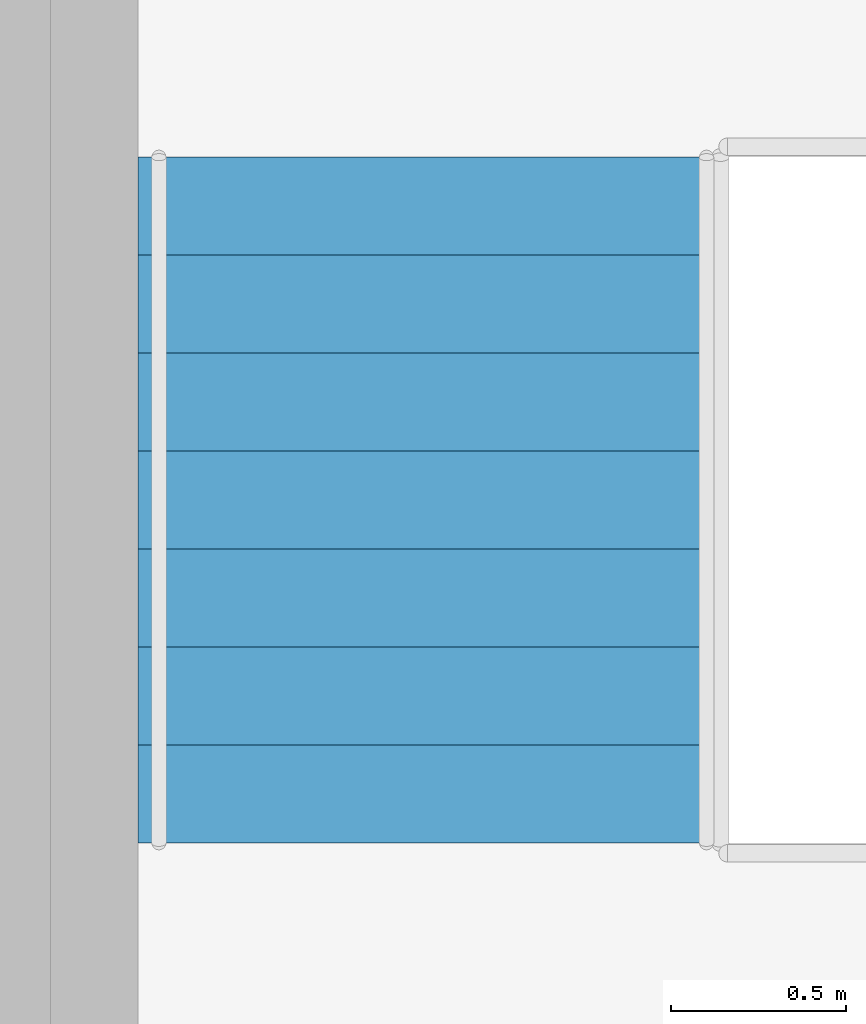
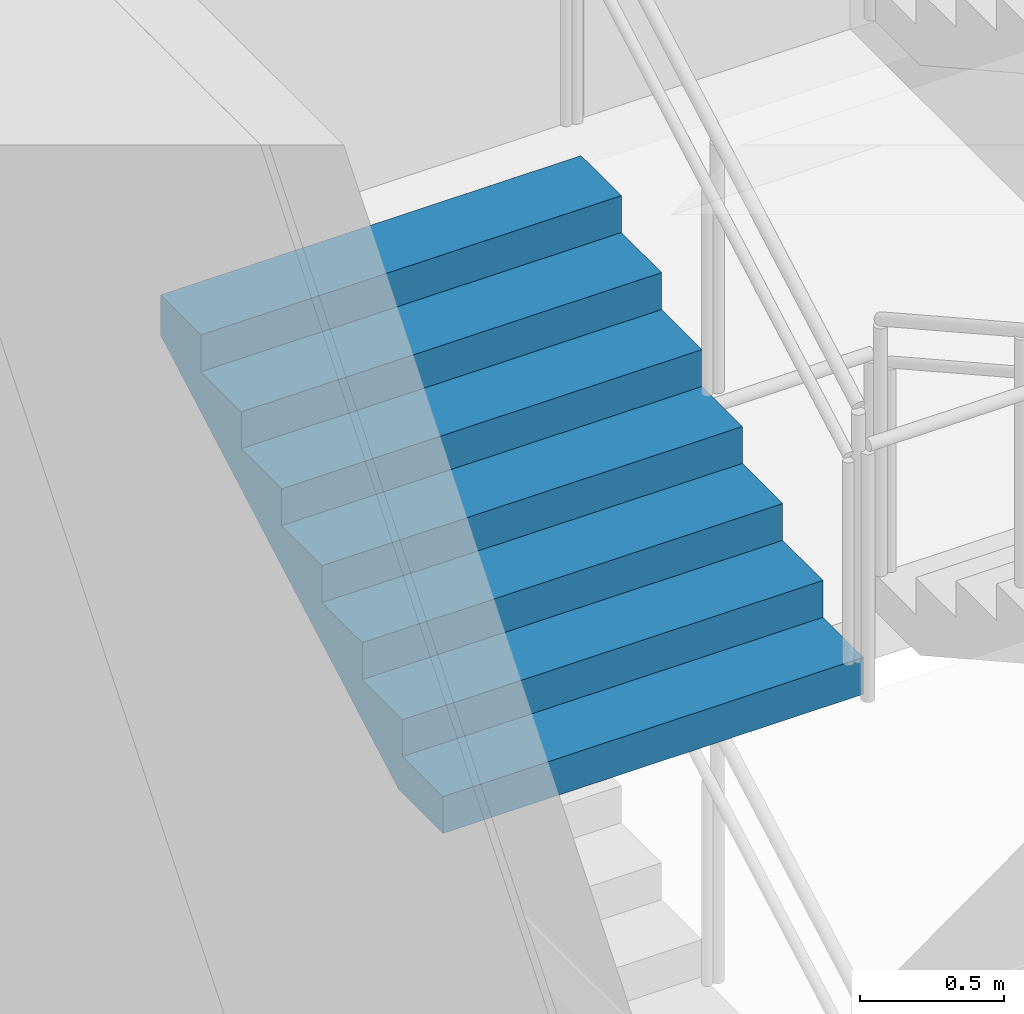
# One storey, part 33 of 37: 1 stair flight, 1 element without a shape of its own.
"""IFC4 building model written with IfcOpenShell, lengths in metres."""

from ifc_helpers import new_model, si_unit, direction, frame, origin, place, context, subcontext, project, spatial, triangles, material, type_object, element, aggregate, save


model = new_model("IFC4")

# Units and contexts
model_context = context("Model", 3, precision=1e-05, world=origin(), true_north=direction((0.0, 1.0)))
body_context = subcontext(model_context, "Body", "Model", "MODEL_VIEW")
ifc_project = project(units=[si_unit("LENGTHUNIT", "METRE"), si_unit("AREAUNIT", "SQUARE_METRE"), si_unit("VOLUMEUNIT", "CUBIC_METRE"), si_unit("PLANEANGLEUNIT", "RADIAN"), si_unit("MASSUNIT", "GRAM", prefix="KILO")], contexts=[model_context])

# Site, building, storey
site_placement = place(None, origin())
site = spatial("IfcSite", under=ifc_project, at=site_placement, CompositionType="ELEMENT")
building_placement = place(site_placement, origin())
building = spatial("IfcBuilding", under=site, at=building_placement, Name="Orbita Commons", CompositionType="ELEMENT")
storey_placement = place(building_placement, frame((0.0, 0.0, 6.0)))
storey = spatial("IfcBuildingStorey", under=building, at=storey_placement, Name="L01", CompositionType="ELEMENT", Elevation=6.0)

# Stair, stair flight
ifc_material_1 = material(Name="Precast concrete C40/50", Category="concrete")
stair_type = type_object("IfcStairType", Name="Podium exit stair 4 flights 8 risers 156", PredefinedType="HALF_TURN_STAIR", material=ifc_material_1)
stair_placement = place(storey_placement, origin())
stair = element("IfcStair", 1, at=stair_placement, inside=storey, type_object=stair_type, Name="Podium exit stair PS2 L01", PredefinedType="HALF_TURN_STAIR")
ifc_material_2 = material(Name="Precast concrete C40/50", Category="concrete")
stair_flight_type = type_object("IfcStairFlightType", Name="Podium stair flight 8 risers 156 x 1685", PredefinedType="STRAIGHT", material=ifc_material_2)
stair_flight_placement = place(storey_placement, frame((73.5673828125, 29.820068359375, 2.5), z_axis=(0.0, 0.0, 1.0), x_axis=(0.0, 1.0, 0.0)))
stair_flight = element("IfcStairFlight", 2, at=stair_flight_placement, type_object=stair_flight_type, Name="PS2 flight 3", NumberOfRisers=8, NumberOfTreads=7, PredefinedType="STRAIGHT", RiserHeight=0.15625, TreadLength=0.28, context=body_context, shape_type="Tessellation", body=[
    triangles([(0.0, 0.842529, 0.0), (0.0, 0.842529, 0.019531), (0.0, 0.702108, 0.019531), (0.0, 0.702108, 0.0), (0.0, 0.561686, 0.019531), (0.0, 0.561686, 0.0), (0.0, 0.421265, 0.019531), (0.0, 0.421265, 0.0), (0.0, 0.280843, 0.019531), (0.0, 0.280843, 0.0), (0.0, 0.140422, 0.019531), (0.0, 0.140422, 0.0), (0.0, 0.0, 0.019531), (0.0, 0.0, 0.0), (0.0, -0.140422, 0.019531), (0.0, -0.140422, 0.0), (0.0, -0.280843, 0.019531), (0.0, -0.280843, 0.0), (0.0, -0.421265, 0.019531), (0.0, -0.421265, 0.0), (0.0, -0.561686, 0.019531), (0.0, -0.561686, 0.0), (0.0, -0.702108, 0.019531), (0.0, -0.702108, 0.0), (0.0, -0.842529, 0.019531), (0.0, -0.842529, 0.0), (0.0, 0.842529, 0.039062), (0.0, 0.702108, 0.039062), (0.0, 0.561686, 0.039062), (0.0, 0.421265, 0.039062), (0.0, 0.280843, 0.039062), (0.0, 0.140422, 0.039062), (0.0, 0.0, 0.039062), (0.0, -0.140422, 0.039062), (0.0, -0.280843, 0.039062), (0.0, -0.421265, 0.039062), (0.0, -0.561686, 0.039062), (0.0, -0.702108, 0.039062), (0.0, -0.842529, 0.039062), (0.0, 0.842529, 0.058594), (0.0, 0.702108, 0.058594), (0.0, 0.561686, 0.058594), (0.0, 0.421265, 0.058594), (0.0, 0.280843, 0.058594), (0.0, 0.140422, 0.058594), (0.0, 0.0, 0.058594), (0.0, -0.140422, 0.058594), (0.0, -0.280843, 0.058594), (0.0, -0.421265, 0.058594), (0.0, -0.561686, 0.058594), (0.0, -0.702108, 0.058594), (0.0, -0.842529, 0.058594), (0.0, 0.842529, 0.078125), (0.0, 0.702108, 0.078125), (0.0, 0.561686, 0.078125), (0.0, 0.421265, 0.078125), (0.0, 0.280843, 0.078125), (0.0, 0.140422, 0.078125), (0.0, 0.0, 0.078125), (0.0, -0.140422, 0.078125), (0.0, -0.280843, 0.078125), (0.0, -0.421265, 0.078125), (0.0, -0.561686, 0.078125), (0.0, -0.702108, 0.078125), (0.0, -0.842529, 0.078125), (0.0, 0.842529, 0.097656), (0.0, 0.702108, 0.097656), (0.0, 0.561686, 0.097656), (0.0, 0.421265, 0.097656), (0.0, 0.280843, 0.097656), (0.0, 0.140422, 0.097656), (0.0, 0.0, 0.097656), (0.0, -0.140422, 0.097656), (0.0, -0.280843, 0.097656), (0.0, -0.421265, 0.097656), (0.0, -0.561686, 0.097656), (0.0, -0.702108, 0.097656), (0.0, -0.842529, 0.097656), (0.0, 0.842529, 0.117188), (0.0, 0.702108, 0.117188), (0.0, 0.561686, 0.117188), (0.0, 0.421265, 0.117188), (0.0, 0.280843, 0.117188), (0.0, 0.140422, 0.117188), (0.0, 0.0, 0.117188), (0.0, -0.140422, 0.117188), (0.0, -0.280843, 0.117188), (0.0, -0.421265, 0.117188), (0.0, -0.561686, 0.117188), (0.0, -0.702108, 0.117188), (0.0, -0.842529, 0.117188), (0.0, 0.842529, 0.136719), (0.0, 0.702108, 0.136719), (0.0, 0.561686, 0.136719), (0.0, 0.421265, 0.136719), (0.0, 0.280843, 0.136719), (0.0, 0.140422, 0.136719), (0.0, 0.0, 0.136719), (0.0, -0.140422, 0.136719), (0.0, -0.280843, 0.136719), (0.0, -0.421265, 0.136719), (0.0, -0.561686, 0.136719), (0.0, -0.702108, 0.136719), (0.0, -0.842529, 0.136719), (0.0, 0.842529, 0.15625), (0.0, 0.702108, 0.15625), (0.0, 0.561686, 0.15625), (0.0, 0.421265, 0.15625), (0.0, 0.280843, 0.15625), (0.0, 0.140422, 0.15625), (0.0, 0.0, 0.15625), (0.0, -0.140422, 0.15625), (0.0, -0.280843, 0.15625), (0.0, -0.421265, 0.15625), (0.0, -0.561686, 0.15625), (0.0, -0.702108, 0.15625), (0.0, -0.842529, 0.15625), (0.28, 0.842529, 0.15625), (0.28, 0.702108, 0.15625), (0.28, 0.561686, 0.15625), (0.28, 0.421265, 0.15625), (0.28, 0.280843, 0.15625), (0.28, 0.140422, 0.15625), (0.28, 0.0, 0.15625), (0.28, -0.140422, 0.15625), (0.28, -0.280843, 0.15625), (0.28, -0.421265, 0.15625), (0.28, -0.561686, 0.15625), (0.28, -0.702108, 0.15625), (0.28, -0.842529, 0.15625), (0.28, 0.842529, 0.3125), (0.28, 0.702108, 0.3125), (0.28, 0.561686, 0.3125), (0.28, 0.421265, 0.3125), (0.28, 0.280843, 0.3125), (0.28, 0.140422, 0.3125), (0.28, 0.0, 0.3125), (0.28, -0.140422, 0.3125), (0.28, -0.280843, 0.3125), (0.28, -0.421265, 0.3125), (0.28, -0.561686, 0.3125), (0.28, -0.702108, 0.3125), (0.28, -0.842529, 0.3125), (0.56, 0.842529, 0.3125), (0.56, 0.702108, 0.3125), (0.56, 0.561686, 0.3125), (0.56, 0.421265, 0.3125), (0.56, 0.280843, 0.3125), (0.56, 0.140422, 0.3125), (0.56, 0.0, 0.3125), (0.56, -0.140422, 0.3125), (0.56, -0.280843, 0.3125), (0.56, -0.421265, 0.3125), (0.56, -0.561686, 0.3125), (0.56, -0.702108, 0.3125), (0.56, -0.842529, 0.3125), (0.56, 0.842529, 0.46875), (0.56, 0.702108, 0.46875), (0.56, 0.561686, 0.46875), (0.56, 0.421265, 0.46875), (0.56, 0.280843, 0.46875), (0.56, 0.140422, 0.46875), (0.56, 0.0, 0.46875), (0.56, -0.140422, 0.46875), (0.56, -0.280843, 0.46875), (0.56, -0.421265, 0.46875), (0.56, -0.561686, 0.46875), (0.56, -0.702108, 0.46875), (0.56, -0.842529, 0.46875), (0.84, 0.842529, 0.46875), (0.84, 0.702108, 0.46875), (0.84, 0.561686, 0.46875), (0.84, 0.421265, 0.46875), (0.84, 0.280843, 0.46875), (0.84, 0.140422, 0.46875), (0.84, 0.0, 0.46875), (0.84, -0.140422, 0.46875), (0.84, -0.280843, 0.46875), (0.84, -0.421265, 0.46875), (0.84, -0.561686, 0.46875), (0.84, -0.702108, 0.46875), (0.84, -0.842529, 0.46875), (0.84, 0.842529, 0.625), (0.84, 0.702108, 0.625), (0.84, 0.561686, 0.625), (0.84, 0.421265, 0.625), (0.84, 0.280843, 0.625), (0.84, 0.140422, 0.625), (0.84, 0.0, 0.625), (0.84, -0.140422, 0.625), (0.84, -0.280843, 0.625), (0.84, -0.421265, 0.625), (0.84, -0.561686, 0.625), (0.84, -0.702108, 0.625), (0.84, -0.842529, 0.625), (1.12, 0.842529, 0.625), (1.12, 0.702108, 0.625), (1.12, 0.561686, 0.625), (1.12, 0.421265, 0.625), (1.12, 0.280843, 0.625), (1.12, 0.140422, 0.625), (1.12, 0.0, 0.625), (1.12, -0.140422, 0.625), (1.12, -0.280843, 0.625), (1.12, -0.421265, 0.625), (1.12, -0.561686, 0.625), (1.12, -0.702108, 0.625), (1.12, -0.842529, 0.625), (1.12, 0.842529, 0.78125), (1.12, 0.702108, 0.78125), (1.12, 0.561686, 0.78125), (1.12, 0.421265, 0.78125), (1.12, 0.280843, 0.78125), (1.12, 0.140422, 0.78125), (1.12, 0.0, 0.78125), (1.12, -0.140422, 0.78125), (1.12, -0.280843, 0.78125), (1.12, -0.421265, 0.78125), (1.12, -0.561686, 0.78125), (1.12, -0.702108, 0.78125), (1.12, -0.842529, 0.78125), (1.4, 0.842529, 0.78125), (1.4, 0.702108, 0.78125), (1.4, 0.561686, 0.78125), (1.4, 0.421265, 0.78125), (1.4, 0.280843, 0.78125), (1.4, 0.140422, 0.78125), (1.4, 0.0, 0.78125), (1.4, -0.140422, 0.78125), (1.4, -0.280843, 0.78125), (1.4, -0.421265, 0.78125), (1.4, -0.561686, 0.78125), (1.4, -0.702108, 0.78125), (1.4, -0.842529, 0.78125), (1.4, 0.842529, 0.9375), (1.4, 0.702108, 0.9375), (1.4, 0.561686, 0.9375), (1.4, 0.421265, 0.9375), (1.4, 0.280843, 0.9375), (1.4, 0.140422, 0.9375), (1.4, 0.0, 0.9375), (1.4, -0.140422, 0.9375), (1.4, -0.280843, 0.9375), (1.4, -0.421265, 0.9375), (1.4, -0.561686, 0.9375), (1.4, -0.702108, 0.9375), (1.4, -0.842529, 0.9375), (1.68, 0.842529, 0.9375), (1.68, 0.702108, 0.9375), (1.68, 0.561686, 0.9375), (1.68, 0.421265, 0.9375), (1.68, 0.280843, 0.9375), (1.68, 0.140422, 0.9375), (1.68, 0.0, 0.9375), (1.68, -0.140422, 0.9375), (1.68, -0.280843, 0.9375), (1.68, -0.421265, 0.9375), (1.68, -0.561686, 0.9375), (1.68, -0.702108, 0.9375), (1.68, -0.842529, 0.9375), (1.68, 0.842529, 1.09375), (1.68, 0.702108, 1.09375), (1.68, 0.561686, 1.09375), (1.68, 0.421265, 1.09375), (1.68, 0.280843, 1.09375), (1.68, 0.140422, 1.09375), (1.68, 0.0, 1.09375), (1.68, -0.140422, 1.09375), (1.68, -0.280843, 1.09375), (1.68, -0.421265, 1.09375), (1.68, -0.561686, 1.09375), (1.68, -0.702108, 1.09375), (1.68, -0.842529, 1.09375), (1.96, 0.842529, 1.09375), (1.96, 0.702108, 1.09375), (1.96, 0.561686, 1.09375), (1.96, 0.421265, 1.09375), (1.96, 0.280843, 1.09375), (1.96, 0.140422, 1.09375), (1.96, 0.0, 1.09375), (1.96, -0.140422, 1.09375), (1.96, -0.280843, 1.09375), (1.96, -0.421265, 1.09375), (1.96, -0.561686, 1.09375), (1.96, -0.702108, 1.09375), (1.96, -0.842529, 1.09375), (1.96, 0.842529, 1.072292), (1.96, 0.702108, 1.072292), (1.96, 0.561686, 1.072292), (1.96, 0.421265, 1.072292), (1.96, 0.280843, 1.072292), (1.96, 0.140422, 1.072292), (1.96, 0.0, 1.072292), (1.96, -0.140422, 1.072292), (1.96, -0.280843, 1.072292), (1.96, -0.421265, 1.072292), (1.96, -0.561686, 1.072292), (1.96, -0.702108, 1.072292), (1.96, -0.842529, 1.072292), (1.96, 0.842529, 1.050834), (1.96, 0.702108, 1.050834), (1.96, 0.561686, 1.050834), (1.96, 0.421265, 1.050834), (1.96, 0.280843, 1.050834), (1.96, 0.140422, 1.050834), (1.96, 0.0, 1.050834), (1.96, -0.140422, 1.050834), (1.96, -0.280843, 1.050834), (1.96, -0.421265, 1.050834), (1.96, -0.561686, 1.050834), (1.96, -0.702108, 1.050834), (1.96, -0.842529, 1.050834), (1.96, 0.842529, 1.029376), (1.96, 0.702108, 1.029376), (1.96, 0.561686, 1.029376), (1.96, 0.421265, 1.029376), (1.96, 0.280843, 1.029376), (1.96, 0.140422, 1.029376), (1.96, 0.0, 1.029376), (1.96, -0.140422, 1.029376), (1.96, -0.280843, 1.029376), (1.96, -0.421265, 1.029376), (1.96, -0.561686, 1.029376), (1.96, -0.702108, 1.029376), (1.96, -0.842529, 1.029376), (1.96, 0.842529, 1.007919), (1.96, 0.702108, 1.007919), (1.96, 0.561686, 1.007919), (1.96, 0.421265, 1.007919), (1.96, 0.280843, 1.007919), (1.96, 0.140422, 1.007919), (1.96, 0.0, 1.007919), (1.96, -0.140422, 1.007919), (1.96, -0.280843, 1.007919), (1.96, -0.421265, 1.007919), (1.96, -0.561686, 1.007919), (1.96, -0.702108, 1.007919), (1.96, -0.842529, 1.007919), (1.96, 0.842529, 0.986461), (1.96, 0.702108, 0.986461), (1.96, 0.561686, 0.986461), (1.96, 0.421265, 0.986461), (1.96, 0.280843, 0.986461), (1.96, 0.140422, 0.986461), (1.96, 0.0, 0.986461), (1.96, -0.140422, 0.986461), (1.96, -0.280843, 0.986461), (1.96, -0.421265, 0.986461), (1.96, -0.561686, 0.986461), (1.96, -0.702108, 0.986461), (1.96, -0.842529, 0.986461), (1.96, 0.842529, 0.965003), (1.96, 0.702108, 0.965003), (1.96, 0.561686, 0.965003), (1.96, 0.421265, 0.965003), (1.96, 0.280843, 0.965003), (1.96, 0.140422, 0.965003), (1.96, 0.0, 0.965003), (1.96, -0.140422, 0.965003), (1.96, -0.280843, 0.965003), (1.96, -0.421265, 0.965003), (1.96, -0.561686, 0.965003), (1.96, -0.702108, 0.965003), (1.96, -0.842529, 0.965003), (1.96, 0.842529, 0.943545), (1.96, 0.702108, 0.943545), (1.96, 0.561686, 0.943545), (1.96, 0.421265, 0.943545), (1.96, 0.280843, 0.943545), (1.96, 0.140422, 0.943545), (1.96, 0.0, 0.943545), (1.96, -0.140422, 0.943545), (1.96, -0.280843, 0.943545), (1.96, -0.421265, 0.943545), (1.96, -0.561686, 0.943545), (1.96, -0.702108, 0.943545), (1.96, -0.842529, 0.943545), (1.96, 0.842529, 0.922087), (1.96, 0.702108, 0.922087), (1.96, 0.561686, 0.922087), (1.96, 0.421265, 0.922087), (1.96, 0.280843, 0.922087), (1.96, 0.140422, 0.922087), (1.96, 0.0, 0.922087), (1.96, -0.140422, 0.922087), (1.96, -0.280843, 0.922087), (1.96, -0.421265, 0.922087), (1.96, -0.561686, 0.922087), (1.96, -0.702108, 0.922087), (1.96, -0.842529, 0.922087), (0.30762, 0.842529, 0.0), (0.30762, 0.702108, 0.0), (0.30762, 0.561686, 0.0), (0.30762, 0.421265, 0.0), (0.30762, 0.280843, 0.0), (0.30762, 0.140422, 0.0), (0.30762, 0.0, 0.0), (0.30762, -0.140422, 0.0), (0.30762, -0.280843, 0.0), (0.30762, -0.421265, 0.0), (0.30762, -0.561686, 0.0), (0.30762, -0.702108, 0.0), (0.30762, -0.842529, 0.0)], [[3, 2, 1], [4, 3, 1], [5, 3, 4], [6, 5, 4], [7, 5, 6], [8, 7, 6], [9, 7, 8], [10, 9, 8], [11, 9, 10], [12, 11, 10], [13, 11, 12], [14, 13, 12], [15, 13, 14], [16, 15, 14], [17, 15, 16], [18, 17, 16], [19, 17, 18], [20, 19, 18], [21, 19, 20], [22, 21, 20], [23, 21, 22], [24, 23, 22], [25, 23, 24], [26, 25, 24], [28, 27, 2], [3, 28, 2], [29, 28, 3], [5, 29, 3], [30, 29, 5], [7, 30, 5], [31, 30, 7], [9, 31, 7], [32, 31, 9], [11, 32, 9], [33, 32, 11], [13, 33, 11], [34, 33, 13], [15, 34, 13], [35, 34, 15], [17, 35, 15], [36, 35, 17], [19, 36, 17], [37, 36, 19], [21, 37, 19], [38, 37, 21], [23, 38, 21], [39, 38, 23], [25, 39, 23], [41, 40, 27], [28, 41, 27], [42, 41, 28], [29, 42, 28], [43, 42, 29], [30, 43, 29], [44, 43, 30], [31, 44, 30], [45, 44, 31], [32, 45, 31], [46, 45, 32], [33, 46, 32], [47, 46, 33], [34, 47, 33], [48, 47, 34], [35, 48, 34], [49, 48, 35], [36, 49, 35], [50, 49, 36], [37, 50, 36], [51, 50, 37], [38, 51, 37], [52, 51, 38], [39, 52, 38], [54, 53, 40], [41, 54, 40], [55, 54, 41], [42, 55, 41], [56, 55, 42], [43, 56, 42], [57, 56, 43], [44, 57, 43], [58, 57, 44], [45, 58, 44], [59, 58, 45], [46, 59, 45], [60, 59, 46], [47, 60, 46], [61, 60, 47], [48, 61, 47], [62, 61, 48], [49, 62, 48], [63, 62, 49], [50, 63, 49], [64, 63, 50], [51, 64, 50], [65, 64, 51], [52, 65, 51], [67, 66, 53], [54, 67, 53], [68, 67, 54], [55, 68, 54], [69, 68, 55], [56, 69, 55], [70, 69, 56], [57, 70, 56], [71, 70, 57], [58, 71, 57], [72, 71, 58], [59, 72, 58], [73, 72, 59], [60, 73, 59], [74, 73, 60], [61, 74, 60], [75, 74, 61], [62, 75, 61], [76, 75, 62], [63, 76, 62], [77, 76, 63], [64, 77, 63], [78, 77, 64], [65, 78, 64], [80, 79, 66], [67, 80, 66], [81, 80, 67], [68, 81, 67], [82, 81, 68], [69, 82, 68], [83, 82, 69], [70, 83, 69], [84, 83, 70], [71, 84, 70], [85, 84, 71], [72, 85, 71], [86, 85, 72], [73, 86, 72], [87, 86, 73], [74, 87, 73], [88, 87, 74], [75, 88, 74], [89, 88, 75], [76, 89, 75], [90, 89, 76], [77, 90, 76], [91, 90, 77], [78, 91, 77], [93, 92, 79], [80, 93, 79], [94, 93, 80], [81, 94, 80], [95, 94, 81], [82, 95, 81], [96, 95, 82], [83, 96, 82], [97, 96, 83], [84, 97, 83], [98, 97, 84], [85, 98, 84], [99, 98, 85], [86, 99, 85], [100, 99, 86], [87, 100, 86], [101, 100, 87], [88, 101, 87], [102, 101, 88], [89, 102, 88], [103, 102, 89], [90, 103, 89], [104, 103, 90], [91, 104, 90], [106, 105, 92], [93, 106, 92], [107, 106, 93], [94, 107, 93], [108, 107, 94], [95, 108, 94], [109, 108, 95], [96, 109, 95], [110, 109, 96], [97, 110, 96], [111, 110, 97], [98, 111, 97], [112, 111, 98], [99, 112, 98], [113, 112, 99], [100, 113, 99], [114, 113, 100], [101, 114, 100], [115, 114, 101], [102, 115, 101], [116, 115, 102], [103, 116, 102], [117, 116, 103], [104, 117, 103], [119, 118, 105], [106, 119, 105], [120, 119, 106], [107, 120, 106], [121, 120, 107], [108, 121, 107], [122, 121, 108], [109, 122, 108], [123, 122, 109], [110, 123, 109], [124, 123, 110], [111, 124, 110], [125, 124, 111], [112, 125, 111], [126, 125, 112], [113, 126, 112], [127, 126, 113], [114, 127, 113], [128, 127, 114], [115, 128, 114], [129, 128, 115], [116, 129, 115], [130, 129, 116], [117, 130, 116], [132, 131, 118], [119, 132, 118], [133, 132, 119], [120, 133, 119], [134, 133, 120], [121, 134, 120], [135, 134, 121], [122, 135, 121], [136, 135, 122], [123, 136, 122], [137, 136, 123], [124, 137, 123], [138, 137, 124], [125, 138, 124], [139, 138, 125], [126, 139, 125], [140, 139, 126], [127, 140, 126], [141, 140, 127], [128, 141, 127], [142, 141, 128], [129, 142, 128], [143, 142, 129], [130, 143, 129], [145, 144, 131], [132, 145, 131], [146, 145, 132], [133, 146, 132], [147, 146, 133], [134, 147, 133], [148, 147, 134], [135, 148, 134], [149, 148, 135], [136, 149, 135], [150, 149, 136], [137, 150, 136], [151, 150, 137], [138, 151, 137], [152, 151, 138], [139, 152, 138], [153, 152, 139], [140, 153, 139], [154, 153, 140], [141, 154, 140], [155, 154, 141], [142, 155, 141], [156, 155, 142], [143, 156, 142], [158, 157, 144], [145, 158, 144], [159, 158, 145], [146, 159, 145], [160, 159, 146], [147, 160, 146], [161, 160, 147], [148, 161, 147], [162, 161, 148], [149, 162, 148], [163, 162, 149], [150, 163, 149], [164, 163, 150], [151, 164, 150], [165, 164, 151], [152, 165, 151], [166, 165, 152], [153, 166, 152], [167, 166, 153], [154, 167, 153], [168, 167, 154], [155, 168, 154], [169, 168, 155], [156, 169, 155], [171, 170, 157], [158, 171, 157], [172, 171, 158], [159, 172, 158], [173, 172, 159], [160, 173, 159], [174, 173, 160], [161, 174, 160], [175, 174, 161], [162, 175, 161], [176, 175, 162], [163, 176, 162], [177, 176, 163], [164, 177, 163], [178, 177, 164], [165, 178, 164], [179, 178, 165], [166, 179, 165], [180, 179, 166], [167, 180, 166], [181, 180, 167], [168, 181, 167], [182, 181, 168], [169, 182, 168], [184, 183, 170], [171, 184, 170], [185, 184, 171], [172, 185, 171], [186, 185, 172], [173, 186, 172], [187, 186, 173], [174, 187, 173], [188, 187, 174], [175, 188, 174], [189, 188, 175], [176, 189, 175], [190, 189, 176], [177, 190, 176], [191, 190, 177], [178, 191, 177], [192, 191, 178], [179, 192, 178], [193, 192, 179], [180, 193, 179], [194, 193, 180], [181, 194, 180], [195, 194, 181], [182, 195, 181], [197, 196, 183], [184, 197, 183], [198, 197, 184], [185, 198, 184], [199, 198, 185], [186, 199, 185], [200, 199, 186], [187, 200, 186], [201, 200, 187], [188, 201, 187], [202, 201, 188], [189, 202, 188], [203, 202, 189], [190, 203, 189], [204, 203, 190], [191, 204, 190], [205, 204, 191], [192, 205, 191], [206, 205, 192], [193, 206, 192], [207, 206, 193], [194, 207, 193], [208, 207, 194], [195, 208, 194], [210, 209, 196], [197, 210, 196], [211, 210, 197], [198, 211, 197], [212, 211, 198], [199, 212, 198], [213, 212, 199], [200, 213, 199], [214, 213, 200], [201, 214, 200], [215, 214, 201], [202, 215, 201], [216, 215, 202], [203, 216, 202], [217, 216, 203], [204, 217, 203], [218, 217, 204], [205, 218, 204], [219, 218, 205], [206, 219, 205], [220, 219, 206], [207, 220, 206], [221, 220, 207], [208, 221, 207], [223, 222, 209], [210, 223, 209], [224, 223, 210], [211, 224, 210], [225, 224, 211], [212, 225, 211], [226, 225, 212], [213, 226, 212], [227, 226, 213], [214, 227, 213], [228, 227, 214], [215, 228, 214], [229, 228, 215], [216, 229, 215], [230, 229, 216], [217, 230, 216], [231, 230, 217], [218, 231, 217], [232, 231, 218], [219, 232, 218], [233, 232, 219], [220, 233, 219], [234, 233, 220], [221, 234, 220], [236, 235, 222], [223, 236, 222], [237, 236, 223], [224, 237, 223], [238, 237, 224], [225, 238, 224], [239, 238, 225], [226, 239, 225], [240, 239, 226], [227, 240, 226], [241, 240, 227], [228, 241, 227], [242, 241, 228], [229, 242, 228], [243, 242, 229], [230, 243, 229], [244, 243, 230], [231, 244, 230], [245, 244, 231], [232, 245, 231], [246, 245, 232], [233, 246, 232], [247, 246, 233], [234, 247, 233], [249, 248, 235], [236, 249, 235], [250, 249, 236], [237, 250, 236], [251, 250, 237], [238, 251, 237], [252, 251, 238], [239, 252, 238], [253, 252, 239], [240, 253, 239], [254, 253, 240], [241, 254, 240], [255, 254, 241], [242, 255, 241], [256, 255, 242], [243, 256, 242], [257, 256, 243], [244, 257, 243], [258, 257, 244], [245, 258, 244], [259, 258, 245], [246, 259, 245], [260, 259, 246], [247, 260, 246], [262, 261, 248], [249, 262, 248], [263, 262, 249], [250, 263, 249], [264, 263, 250], [251, 264, 250], [265, 264, 251], [252, 265, 251], [266, 265, 252], [253, 266, 252], [267, 266, 253], [254, 267, 253], [268, 267, 254], [255, 268, 254], [269, 268, 255], [256, 269, 255], [270, 269, 256], [257, 270, 256], [271, 270, 257], [258, 271, 257], [272, 271, 258], [259, 272, 258], [273, 272, 259], [260, 273, 259], [275, 274, 261], [262, 275, 261], [276, 275, 262], [263, 276, 262], [277, 276, 263], [264, 277, 263], [278, 277, 264], [265, 278, 264], [279, 278, 265], [266, 279, 265], [280, 279, 266], [267, 280, 266], [281, 280, 267], [268, 281, 267], [282, 281, 268], [269, 282, 268], [283, 282, 269], [270, 283, 269], [284, 283, 270], [271, 284, 270], [285, 284, 271], [272, 285, 271], [286, 285, 272], [273, 286, 272], [288, 287, 274], [275, 288, 274], [289, 288, 275], [276, 289, 275], [290, 289, 276], [277, 290, 276], [291, 290, 277], [278, 291, 277], [292, 291, 278], [279, 292, 278], [293, 292, 279], [280, 293, 279], [294, 293, 280], [281, 294, 280], [295, 294, 281], [282, 295, 281], [296, 295, 282], [283, 296, 282], [297, 296, 283], [284, 297, 283], [298, 297, 284], [285, 298, 284], [299, 298, 285], [286, 299, 285], [301, 300, 287], [288, 301, 287], [302, 301, 288], [289, 302, 288], [303, 302, 289], [290, 303, 289], [304, 303, 290], [291, 304, 290], [305, 304, 291], [292, 305, 291], [306, 305, 292], [293, 306, 292], [307, 306, 293], [294, 307, 293], [308, 307, 294], [295, 308, 294], [309, 308, 295], [296, 309, 295], [310, 309, 296], [297, 310, 296], [311, 310, 297], [298, 311, 297], [312, 311, 298], [299, 312, 298], [314, 313, 300], [301, 314, 300], [315, 314, 301], [302, 315, 301], [316, 315, 302], [303, 316, 302], [317, 316, 303], [304, 317, 303], [318, 317, 304], [305, 318, 304], [319, 318, 305], [306, 319, 305], [320, 319, 306], [307, 320, 306], [321, 320, 307], [308, 321, 307], [322, 321, 308], [309, 322, 308], [323, 322, 309], [310, 323, 309], [324, 323, 310], [311, 324, 310], [325, 324, 311], [312, 325, 311], [327, 326, 313], [314, 327, 313], [328, 327, 314], [315, 328, 314], [329, 328, 315], [316, 329, 315], [330, 329, 316], [317, 330, 316], [331, 330, 317], [318, 331, 317], [332, 331, 318], [319, 332, 318], [333, 332, 319], [320, 333, 319], [334, 333, 320], [321, 334, 320], [335, 334, 321], [322, 335, 321], [336, 335, 322], [323, 336, 322], [337, 336, 323], [324, 337, 323], [338, 337, 324], [325, 338, 324], [340, 339, 326], [327, 340, 326], [341, 340, 327], [328, 341, 327], [342, 341, 328], [329, 342, 328], [343, 342, 329], [330, 343, 329], [344, 343, 330], [331, 344, 330], [345, 344, 331], [332, 345, 331], [346, 345, 332], [333, 346, 332], [347, 346, 333], [334, 347, 333], [348, 347, 334], [335, 348, 334], [349, 348, 335], [336, 349, 335], [350, 349, 336], [337, 350, 336], [351, 350, 337], [338, 351, 337], [353, 352, 339], [340, 353, 339], [354, 353, 340], [341, 354, 340], [355, 354, 341], [342, 355, 341], [356, 355, 342], [343, 356, 342], [357, 356, 343], [344, 357, 343], [358, 357, 344], [345, 358, 344], [359, 358, 345], [346, 359, 345], [360, 359, 346], [347, 360, 346], [361, 360, 347], [348, 361, 347], [362, 361, 348], [349, 362, 348], [363, 362, 349], [350, 363, 349], [364, 363, 350], [351, 364, 350], [366, 365, 352], [353, 366, 352], [367, 366, 353], [354, 367, 353], [368, 367, 354], [355, 368, 354], [369, 368, 355], [356, 369, 355], [370, 369, 356], [357, 370, 356], [371, 370, 357], [358, 371, 357], [372, 371, 358], [359, 372, 358], [373, 372, 359], [360, 373, 359], [374, 373, 360], [361, 374, 360], [375, 374, 361], [362, 375, 361], [376, 375, 362], [363, 376, 362], [377, 376, 363], [364, 377, 363], [379, 378, 365], [366, 379, 365], [380, 379, 366], [367, 380, 366], [381, 380, 367], [368, 381, 367], [382, 381, 368], [369, 382, 368], [383, 382, 369], [370, 383, 369], [384, 383, 370], [371, 384, 370], [385, 384, 371], [372, 385, 371], [386, 385, 372], [373, 386, 372], [387, 386, 373], [374, 387, 373], [388, 387, 374], [375, 388, 374], [389, 388, 375], [376, 389, 375], [390, 389, 376], [377, 390, 376], [392, 391, 378], [379, 392, 378], [393, 392, 379], [380, 393, 379], [394, 393, 380], [381, 394, 380], [395, 394, 381], [382, 395, 381], [396, 395, 382], [383, 396, 382], [397, 396, 383], [384, 397, 383], [398, 397, 384], [385, 398, 384], [399, 398, 385], [386, 399, 385], [400, 399, 386], [387, 400, 386], [401, 400, 387], [388, 401, 387], [402, 401, 388], [389, 402, 388], [403, 402, 389], [390, 403, 389], [4, 1, 391], [392, 4, 391], [6, 4, 392], [393, 6, 392], [8, 6, 393], [394, 8, 393], [10, 8, 394], [395, 10, 394], [12, 10, 395], [396, 12, 395], [14, 12, 396], [397, 14, 396], [16, 14, 397], [398, 16, 397], [18, 16, 398], [399, 18, 398], [20, 18, 399], [400, 20, 399], [22, 20, 400], [401, 22, 400], [24, 22, 401], [402, 24, 401], [26, 24, 402], [403, 26, 402], [378, 391, 1], [26, 403, 390], [365, 378, 1], [26, 390, 377], [352, 365, 1], [26, 377, 364], [339, 352, 1], [26, 364, 351], [326, 339, 1], [26, 351, 338], [313, 326, 1], [26, 338, 325], [300, 313, 1], [26, 325, 312], [287, 300, 1], [26, 312, 299], [261, 274, 287], [299, 286, 273], [248, 261, 287], [299, 273, 260], [222, 235, 248], [260, 247, 234], [222, 248, 287], [299, 260, 234], [196, 209, 222], [234, 221, 208], [196, 222, 287], [299, 234, 208], [170, 183, 196], [208, 195, 182], [170, 196, 287], [299, 208, 182], [144, 157, 170], [182, 169, 156], [144, 170, 287], [299, 182, 156], [118, 131, 144], [156, 143, 130], [118, 144, 287], [299, 156, 130], [118, 287, 1], [26, 299, 130], [92, 105, 118], [130, 117, 104], [79, 92, 118], [130, 104, 91], [66, 79, 118], [130, 91, 78], [53, 66, 118], [130, 78, 65], [40, 53, 118], [130, 65, 52], [27, 40, 118], [130, 52, 39], [2, 27, 118], [130, 39, 25], [1, 2, 118], [130, 25, 26]], closed=True),
])
aggregate(stair, [stair_flight])

save(model, "model.ifc")
